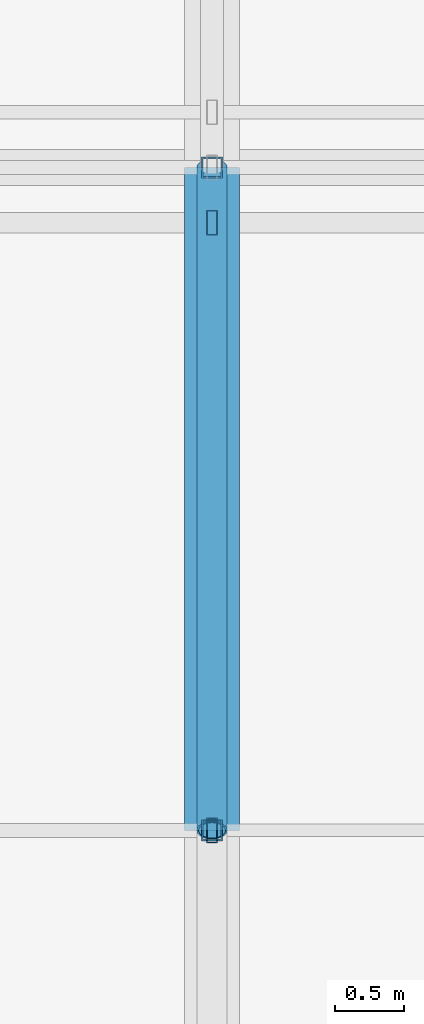
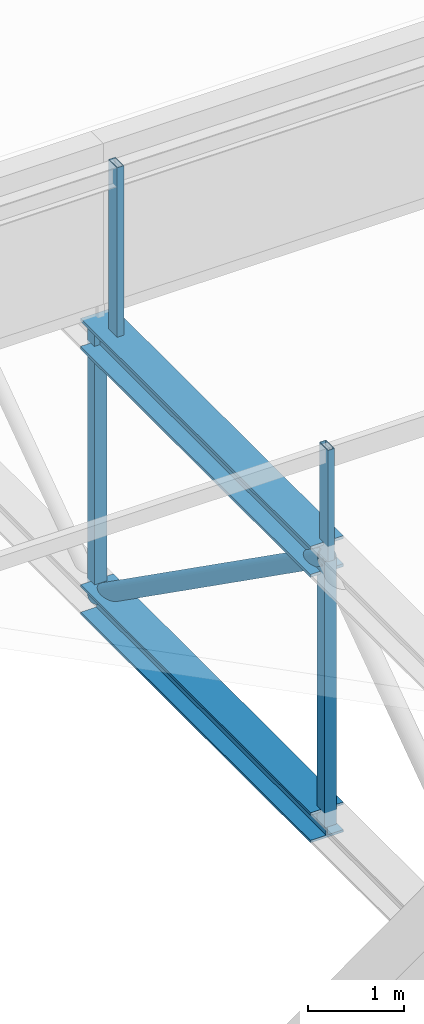
# One storey, part 15 of 136: 5 members, 2 beams.
"""IFC4 building model written with IfcOpenShell, lengths in metres."""

from ifc_helpers import new_model, si_unit, direction, frame, origin, origin_2d, place, context, subcontext, project, spatial, hollow_rectangle, hollow_circle, i_section, extrude, material, material_profile, profile_set, type_object, element, save


model = new_model("IFC4")

# Units and contexts
model_context = context("Model", 3, precision=1e-05, world=origin(), true_north=direction((0.0, 1.0)))
body_context = subcontext(model_context, "Body", "Model", "MODEL_VIEW")
ifc_project = project(units=[si_unit("LENGTHUNIT", "METRE"), si_unit("AREAUNIT", "SQUARE_METRE"), si_unit("VOLUMEUNIT", "CUBIC_METRE"), si_unit("PLANEANGLEUNIT", "RADIAN"), si_unit("MASSUNIT", "GRAM", prefix="KILO")], contexts=[model_context])

# Site, building, storey
site_placement = place(None, origin())
site = spatial("IfcSite", under=ifc_project, at=site_placement, CompositionType="ELEMENT")
building_placement = place(site_placement, origin())
building = spatial("IfcBuilding", under=site, at=building_placement, Name="Kisiwana Market Hall", CompositionType="ELEMENT")
storey_placement = place(building_placement, frame((0.0, 0.0, 16.800048828125)))
storey = spatial("IfcBuildingStorey", under=building, at=storey_placement, Name="L03", CompositionType="ELEMENT", Elevation=16.800048828125)

# Beams
ifc_material_1 = material(Name="Steel S355", Category="steel")
ifc_material_profile_1 = material_profile(ifc_material_1, i_section(OverallWidth=0.394775390625, OverallDepth=0.381103515625, WebThickness=0.018310546875, FlangeThickness=0.0302734375, at=origin_2d()), Name="UC 356x406x235")
ifc_profile_set_1 = profile_set([ifc_material_profile_1], Name="Steel S355")
beam_type_1 = type_object("IfcBeamType", Name="BM-TRUSS-BOT", PredefinedType="USERDEFINED", material=ifc_profile_set_1)
beam_1_placement = place(storey_placement, frame((63.0, 40.800048828125, 0.22998046875), z_axis=(0.0, 1.0, 0.0), x_axis=(-1.0, 0.0, 0.0)))
element("IfcBeam", 1, at=beam_1_placement, inside=storey, type_object=beam_type_1, Name="TR-02 BC panel 2 B-1199", ObjectType="ROOF TRUSS", PredefinedType="USERDEFINED", context=body_context, shape_type="SweptSolid", body=[
    extrude(i_section(OverallWidth=0.394775390625, OverallDepth=0.381103515625, WebThickness=0.018310546875, FlangeThickness=0.0302734375, at=origin_2d()), origin(), (0.0, 0.0, 1.0), 4.800048828125),
])
ifc_material_2 = material(Name="Steel S355", Category="steel")
ifc_material_profile_2 = material_profile(ifc_material_2, i_section(OverallWidth=0.39892578125, OverallDepth=0.3935546875, WebThickness=0.022705078125, FlangeThickness=0.03662109375, at=origin_2d()), Name="UC 356x406x287")
ifc_profile_set_2 = profile_set([ifc_material_profile_2], Name="Steel S355")
beam_type_2 = type_object("IfcBeamType", Name="BM-TRUSS-TOP", PredefinedType="USERDEFINED", material=ifc_profile_set_2)
beam_2_placement = place(storey_placement, frame((63.0, 40.800048828125, 3.619873046875), z_axis=(0.0, 1.0, 0.0), x_axis=(-1.0, 0.0, 0.0)))
element("IfcBeam", 2, at=beam_2_placement, inside=storey, type_object=beam_type_2, Name="TR-02 TC panel 2 B-1209", ObjectType="ROOF TRUSS", PredefinedType="USERDEFINED", context=body_context, shape_type="SweptSolid", body=[
    extrude(i_section(OverallWidth=0.39892578125, OverallDepth=0.3935546875, WebThickness=0.022705078125, FlangeThickness=0.03662109375, at=origin_2d()), origin(), (0.0, 0.0, 1.0), 4.800048828125),
])

# Members
ifc_material_3 = material(Name="Steel S355", Category="steel")
ifc_material_profile_3 = material_profile(ifc_material_3, hollow_rectangle(XDim=0.080078125, YDim=0.179931640625, WallThickness=0.00634765625, at=origin_2d()), Name="RHS 180x80x6.3")
ifc_profile_set_3 = profile_set([ifc_material_profile_3], Name="Steel S355")
member_type_1 = type_object("IfcMemberType", Name="MB-CAN-STRUT", PredefinedType="STRUT", material=ifc_profile_set_3)
member_1_placement = place(storey_placement, frame((63.0, 45.199951171875, 3.619873046875), z_axis=(0.0, 0.0, 1.0), x_axis=(1.0, 0.0, 0.0)))
element("IfcMember", 3, at=member_1_placement, inside=storey, type_object=member_type_1, Name="Sawtooth raker post 157 M-0228", PredefinedType="STRUT", context=body_context, shape_type="SweptSolid", body=[
    extrude(hollow_rectangle(XDim=0.080078125, YDim=0.179931640625, WallThickness=0.00634765625, at=origin_2d()), origin(), (0.0, 0.0, 1.0), 2.355712890625),
])
member_2_placement = place(storey_placement, frame((63.0, 40.800048828125, 3.619873046875), z_axis=(0.0, 0.0, 1.0), x_axis=(1.0, 0.0, 0.0)))
element("IfcMember", 4, at=member_2_placement, inside=storey, type_object=member_type_1, Name="Sawtooth mid-slope raker post 2 M-0054", PredefinedType="STRUT", context=body_context, shape_type="SweptSolid", body=[
    extrude(hollow_rectangle(XDim=0.080078125, YDim=0.179931640625, WallThickness=0.00634765625, at=origin_2d()), origin(), (0.0, 0.0, 1.0), 1.42041015625),
])
ifc_material_4 = material(Name="Steel S355", Category="steel")
ifc_material_profile_4 = material_profile(ifc_material_4, hollow_circle(Radius=0.109619140625, WallThickness=0.012451171875, at=origin_2d()), Name="CHS 219.1x12.5")
ifc_profile_set_4 = profile_set([ifc_material_profile_4], Name="Steel S355")
member_type_2 = type_object("IfcMemberType", Name="MB-TR-DIAG219", PredefinedType="BRACE", material=ifc_profile_set_4)
member_3_placement = place(storey_placement, frame((63.0, 40.800048828125, 3.619873046875), z_axis=(0.0, 0.816837735077, -0.576867501732), x_axis=(-1.0, 0.0, 0.0)))
element("IfcMember", 5, at=member_3_placement, inside=storey, type_object=member_type_2, Name="TR-02 diagonal 2 M-0356", PredefinedType="BRACE", context=body_context, shape_type="SweptSolid", body=[
    extrude(hollow_circle(Radius=0.109619140625, WallThickness=0.012451171875, at=origin_2d()), origin(), (0.0, 0.0, 1.0), 5.87646484375),
])
ifc_material_5 = material(Name="Steel S355", Category="steel")
ifc_material_profile_5 = material_profile(ifc_material_5, hollow_rectangle(XDim=0.14990234375, YDim=0.14990234375, WallThickness=0.008056640625, at=origin_2d()), Name="SHS 150x150x8.0")
ifc_profile_set_5 = profile_set([ifc_material_profile_5], Name="Steel S355")
member_type_3 = type_object("IfcMemberType", Name="MB-TR-STRUT200", PredefinedType="STRUT", material=ifc_profile_set_5)
for number, where, z_axis, x_axis, name in (
    (6, (63.0, 40.800048828125, 0.22998046875), (0.0, 0.0, 1.0), (1.0, 0.0, 0.0), "TR-02 vertical strut 2 M-0365"),
    (7, (63.0, 45.60009765625, 0.22998046875), (0.0, 0.0, 1.0), (1.0, 0.0, 0.0), "TR-02 vertical strut 3 M-0366"),
):
    element("IfcMember", number, at=place(storey_placement, frame(where, z_axis=z_axis, x_axis=x_axis)), inside=storey, type_object=member_type_3, Name=name, PredefinedType="STRUT", context=body_context, shape_type="SweptSolid", body=[
        extrude(hollow_rectangle(XDim=0.14990234375, YDim=0.14990234375, WallThickness=0.008056640625, at=origin_2d()), origin(), (0.0, 0.0, 1.0), 3.389892578125),
    ])

save(model, "model.ifc")
